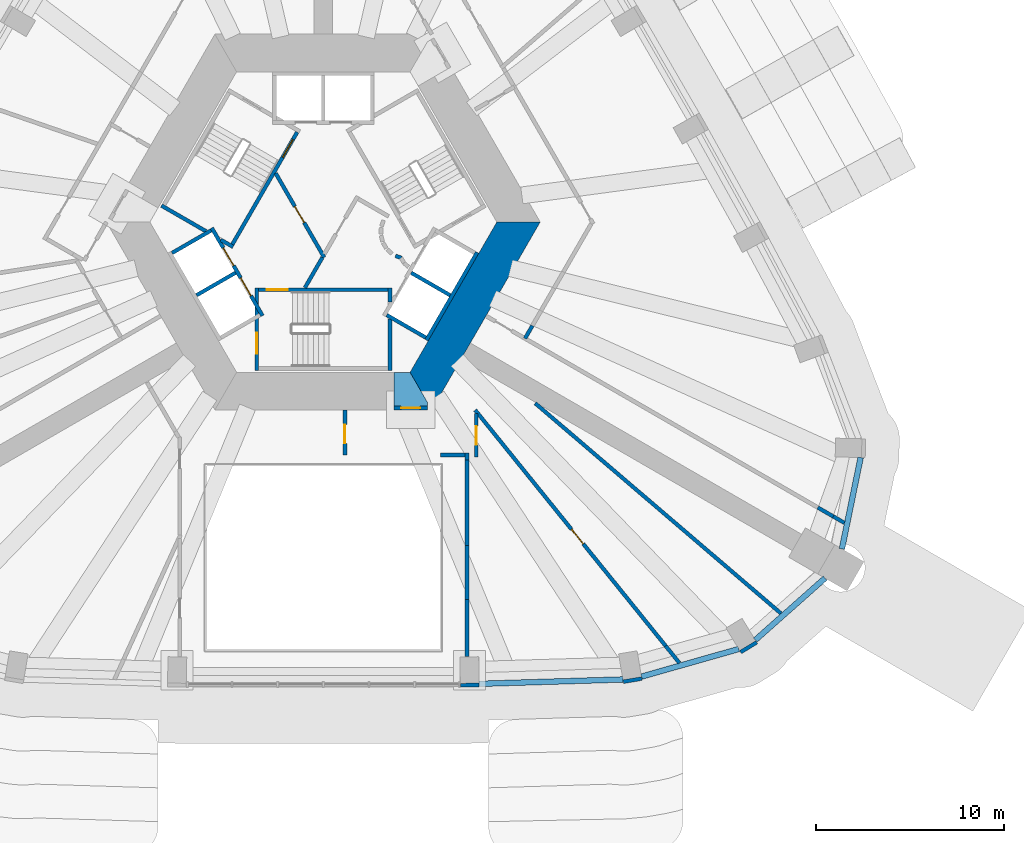
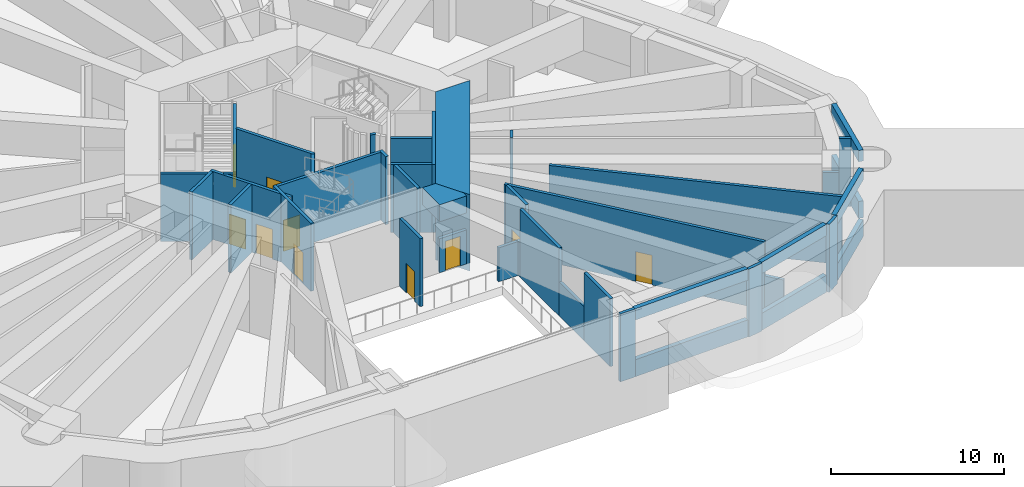
# One storey, part 5 of 16: 43 walls, 10 doors, 10 openings.
"""IFC4 building model written with IfcOpenShell, lengths in metres."""

from ifc_helpers import new_model, si_unit, direction, frame, frame_2d, origin, place, context, subcontext, project, spatial, polyline, rectangle, outline, extrude, material, layer, layer_set, type_object, element, fill, save


model = new_model("IFC4")

# Units and contexts
model_context = context("Model", 3, precision=1e-05, world=origin(), true_north=direction((0.0, 1.0)))
body_context = subcontext(model_context, "Body", "Model", "MODEL_VIEW")
ifc_project = project(units=[si_unit("LENGTHUNIT", "METRE"), si_unit("AREAUNIT", "SQUARE_METRE"), si_unit("VOLUMEUNIT", "CUBIC_METRE"), si_unit("PLANEANGLEUNIT", "RADIAN"), si_unit("MASSUNIT", "GRAM", prefix="KILO")], contexts=[model_context])

# Site, building, storey
site_placement = place(None, origin())
site = spatial("IfcSite", under=ifc_project, at=site_placement, CompositionType="ELEMENT")
building_placement = place(site_placement, origin())
building = spatial("IfcBuilding", under=site, at=building_placement, Name="Entoto Arch Interchange Tower", CompositionType="ELEMENT")
storey_placement = place(building_placement, frame((0.0, 0.0, 281.0)))
storey = spatial("IfcBuildingStorey", under=building, at=storey_placement, Name="L65", CompositionType="ELEMENT", Elevation=281.0)

# Wall, opening, door
ifc_material_1 = material(Name="Reinforced concrete C40/50", Category="concrete")
ifc_layer_1 = layer(ifc_material_1, 0.199951171875)
ifc_layer_set_1 = layer_set([ifc_layer_1], Name="Reinforced concrete C40/50")
wall_type_1 = type_object("IfcWallType", Name="CORE GAP INFILL WALL", PredefinedType="PARTITIONING", material=ifc_layer_set_1)
wall_1_placement = place(storey_placement, frame((3.75, -7.39990234375, 0.0), z_axis=(0.0, 0.0, 1.0), x_axis=(1.0, 0.0, 0.0)))
wall_1 = element("IfcWall", 1, at=wall_1_placement, inside=storey, type_object=wall_type_1, Name="wall:L65:gap1", PredefinedType="PARTITIONING", context=body_context, shape_type="SweptSolid", body=[
    extrude(rectangle(XDim=1.7939453125, YDim=0.199951171875, at=frame_2d((0.89697265625, 0.0))), origin(), (0.0, 0.0, 1.0), 2.39990234375),
])
opening_1_placement = place(wall_1_placement, frame((0.39697265625, 0.0, 0.0)))
opening_1 = element("IfcOpeningElement", 2, at=opening_1_placement, cuts=wall_1, Name="Opening L65-D91", PredefinedType="OPENING", context=body_context, shape_type="SweptSolid", body=[
    extrude(rectangle(XDim=1.0, YDim=2.10009765625, at=frame_2d((0.5, 1.050048828125))), frame((0.0, 0.10986328125, 0.0), z_axis=(0.0, -1.0, 0.0), x_axis=(1.0, 0.0, 0.0)), (0.0, 0.0, 1.0), 0.219970703125),
])
ifc_material_2 = material(Name="Fire-rated Steel S235 door and frame", Category="steel")
door_type_1 = type_object("IfcDoorType", Name="DOOR FD-10 1000x2100", OperationType="SINGLE_SWING_LEFT", PredefinedType="DOOR", material=ifc_material_2)
door_1_placement = place(opening_1_placement, origin())
door_1 = element("IfcDoor", 3, at=door_1_placement, inside=storey, type_object=door_type_1, Name="door:L65:gap1", OperationType="SINGLE_SWING_LEFT", OverallHeight=2.10009765625, OverallWidth=1.0, PredefinedType="DOOR", context=body_context, shape_type="SweptSolid", body=[
    extrude(rectangle(XDim=1.0, YDim=2.10009765625, at=frame_2d((0.5, 1.050048828125))), frame((0.0, 0.02490234375, 0.0), z_axis=(0.0, -1.0, 0.0), x_axis=(1.0, 0.0, 0.0)), (0.0, 0.0, 1.0), 0.050048828125),
])
fill(opening_1, door_1)

# Walls
ifc_material_3 = material(Name="Concrete C40/50", Category="concrete")
ifc_layer_2 = layer(ifc_material_3, 2.0)
ifc_layer_set_2 = layer_set([ifc_layer_2], Name="Concrete C40/50")
wall_type_2 = type_object("IfcWallType", Name="Core wall 2000 C40/50", PredefinedType="SHEAR", material=ifc_layer_set_2)
wall_2_placement = place(storey_placement, frame((0.0, 0.0, 3.60009765625)))
element("IfcWall", 4, at=wall_2_placement, inside=storey, type_object=wall_type_2, Name="Core wall lintel S L65", PredefinedType="SHEAR", context=body_context, shape_type="SweptSolid", body=[
    extrude(outline(polyline([(5.5439453125, -7.5), (5.5439453125, -7.10205078125), (4.618896484375, -5.5), (3.75, -5.5), (3.75, -7.5), (5.5439453125, -7.5)])), origin(), (0.0, 0.0, 1.0), 1.199951171875),
])
wall_3_placement = place(storey_placement, frame((0.0, 0.0, -0.60009765625)))
element("IfcWall", 5, at=wall_3_placement, inside=storey, type_object=wall_type_2, Name="Core wall SE L65", PredefinedType="SHEAR", context=body_context, shape_type="SweptSolid", body=[
    extrude(outline(polyline([(5.77392578125, -7.5), (11.547119140625, 2.5), (9.238037109375, 2.5), (4.618896484375, -5.5), (5.77392578125, -7.5)])), origin(), (0.0, 0.0, 1.0), 5.400146484375),
])

# Wall, openings, doors
ifc_layer_3 = layer(ifc_material_3, 0.199951171875)
ifc_layer_set_3 = layer_set([ifc_layer_3], Name="Concrete C40/50")
wall_type_3 = type_object("IfcWallType", Name="LIFT SHAFT WALL 200", PredefinedType="STANDARD", material=ifc_layer_set_3)
wall_4_placement = place(storey_placement, frame((-5.93994140625, 2.18798828125, 0.0), z_axis=(0.0, 0.0, 1.0), x_axis=(0.500034260056, -0.866005622828, 0.0)))
wall_4 = element("IfcWall", 6, at=wall_4_placement, inside=storey, type_object=wall_type_3, Name="Shaft wall SW1 front", PredefinedType="STANDARD", context=body_context, shape_type="SweptSolid", body=[
    extrude(rectangle(XDim=5.3994140625, YDim=0.199951171875, at=frame_2d((2.69970703125, 0.0))), origin(), (0.0, 0.0, 1.0), 4.800048828125),
])
opening_2_placement = place(wall_4_placement, frame((3.074951171875, 0.0, 0.0)))
opening_2 = element("IfcOpeningElement", 7, at=opening_2_placement, cuts=wall_4, Name="Opening LD-HR4-L65", PredefinedType="OPENING", context=body_context, shape_type="SweptSolid", body=[
    extrude(rectangle(XDim=1.10009765625, YDim=2.10009765625, at=frame_2d((0.550048828125, 1.050048828125))), frame((0.0, 0.10986328125, 0.0), z_axis=(0.0, -1.0, 0.0), x_axis=(1.0, 0.0, 0.0)), (0.0, 0.0, 1.0), 0.219970703125),
])
opening_3_placement = place(wall_4_placement, frame((1.22509765625, 0.0, 0.0)))
opening_3 = element("IfcOpeningElement", 8, at=opening_3_placement, cuts=wall_4, Name="Opening LD-FF2-L65", PredefinedType="OPENING", context=body_context, shape_type="SweptSolid", body=[
    extrude(rectangle(XDim=1.10009765625, YDim=2.10009765625, at=frame_2d((0.550048828125, 1.050048828125))), frame((0.0, 0.10986328125, 0.0), z_axis=(0.0, -1.0, 0.0), x_axis=(1.0, 0.0, 0.0)), (0.0, 0.0, 1.0), 0.219970703125),
])
ifc_material_4 = material(Name="Stainless steel 1.4301 panels", Category="steel")
door_type_2 = type_object("IfcDoorType", Name="LIFT LANDING DOOR LD1 1100x2100", OperationType="SLIDING_TO_LEFT", PredefinedType="DOOR", material=ifc_material_4)
door_2_placement = place(opening_2_placement, origin())
door_2 = element("IfcDoor", 9, at=door_2_placement, inside=storey, type_object=door_type_2, Name="Lift landing door HR4 L65", OperationType="SLIDING_TO_LEFT", OverallHeight=2.10009765625, OverallWidth=1.10009765625, PredefinedType="DOOR", context=body_context, shape_type="SweptSolid", body=[
    extrude(rectangle(XDim=1.10009765625, YDim=2.10009765625, at=frame_2d((0.550048828125, 1.050048828125))), frame((0.0, 0.02490234375, 0.0), z_axis=(0.0, -1.0, 0.0), x_axis=(1.0, 0.0, 0.0)), (0.0, 0.0, 1.0), 0.050048828125),
])
fill(opening_2, door_2)
door_3_placement = place(opening_3_placement, origin())
door_3 = element("IfcDoor", 10, at=door_3_placement, inside=storey, type_object=door_type_2, Name="Lift landing door FF2 L65", OperationType="SLIDING_TO_LEFT", OverallHeight=2.10009765625, OverallWidth=1.10009765625, PredefinedType="DOOR", context=body_context, shape_type="SweptSolid", body=[
    extrude(rectangle(XDim=1.10009765625, YDim=2.10009765625, at=frame_2d((0.550048828125, 1.050048828125))), frame((0.0, 0.02490234375, 0.0), z_axis=(0.0, -1.0, 0.0), x_axis=(1.0, 0.0, 0.0)), (0.0, 0.0, 1.0), 0.050048828125),
])
fill(opening_3, door_3)

# Walls
for number, where, z_axis, x_axis, name in (
    (11, (-5.97705078125, 2.052001953125, 0.0), (0.0, 0.0, 1.0), (-0.865973769406, -0.500089422704, 0.0), "Shaft wall SW1 cross 1"),
    (12, (-4.677001953125, -0.199951171875, 0.0), (0.0, 0.0, 1.0), (-0.865973769406, -0.500089422704, 0.0), "Shaft wall SW1 cross 2"),
):
    element("IfcWall", number, at=place(storey_placement, frame(where, z_axis=z_axis, x_axis=x_axis)), inside=storey, type_object=wall_type_3, Name=name, PredefinedType="STANDARD", context=body_context, shape_type="SweptSolid", body=[
        extrude(rectangle(XDim=2.3994140625, YDim=0.199951171875, at=frame_2d((1.19970703125, 0.0))), origin(), (0.0, 0.0, 1.0), 4.800048828125),
    ])
wall_5_placement = place(storey_placement, frame((5.491943359375, -3.7880859375, 0.0), z_axis=(0.0, 0.0, 1.0), x_axis=(0.500034260056, 0.866005622828, 0.0)))
element("IfcWall", 13, at=wall_5_placement, inside=storey, type_object=wall_type_3, Name="Shaft wall SE1 back", PredefinedType="STANDARD", context=body_context, shape_type="SweptSolid", body=[
    extrude(rectangle(XDim=5.3994140625, YDim=0.199951171875, at=frame_2d((2.69970703125, 0.0))), origin(), (0.0, 0.0, 1.0), 4.800048828125),
])
wall_6_placement = place(storey_placement, frame((3.376953125, -2.451904296875, 0.0), z_axis=(0.0, 0.0, 1.0), x_axis=(0.865955154139, -0.50012165622, 0.0)))
element("IfcWall", 14, at=wall_6_placement, inside=storey, type_object=wall_type_3, Name="Shaft wall SE1 cross 1", PredefinedType="STANDARD", context=body_context, shape_type="SweptSolid", body=[
    extrude(rectangle(XDim=2.39990234375, YDim=0.199951171875, at=frame_2d((1.199951171875, 0.0))), origin(), (0.0, 0.0, 1.0), 4.800048828125),
])
wall_7_placement = place(storey_placement, frame((4.677001953125, -0.199951171875, 0.0), z_axis=(0.0, 0.0, 1.0), x_axis=(0.865973769406, -0.500089422704, 0.0)))
element("IfcWall", 15, at=wall_7_placement, inside=storey, type_object=wall_type_3, Name="Shaft wall SE1 cross 2", PredefinedType="STANDARD", context=body_context, shape_type="SweptSolid", body=[
    extrude(rectangle(XDim=2.3994140625, YDim=0.199951171875, at=frame_2d((1.19970703125, 0.0))), origin(), (0.0, 0.0, 1.0), 4.800048828125),
])
ifc_material_5 = material(Name="Gypsum board partition on steel studs", Category="steel")
ifc_layer_4 = layer(ifc_material_5, 0.199951171875)
ifc_layer_set_4 = layer_set([ifc_layer_4], Name="Gypsum board partition on steel studs")
wall_type_4 = type_object("IfcWallType", Name="PARTITION 200", PredefinedType="PARTITIONING", material=ifc_layer_set_4)
wall_8_placement = place(storey_placement, frame((-0.98193359375, -1.0, 0.0), z_axis=(0.0, 0.0, 1.0), x_axis=(0.50024047865, 0.865886518847, 0.0)))
element("IfcWall", 16, at=wall_8_placement, inside=storey, type_object=wall_type_4, Name="wall:L65:p001", PredefinedType="PARTITIONING", context=body_context, shape_type="SweptSolid", body=[
    extrude(rectangle(XDim=1.86279296875, YDim=0.199951171875, at=frame_2d((0.931396484375, 0.0))), origin(), (0.0, 0.0, 1.0), 4.800048828125),
])
wall_9_placement = place(storey_placement, frame((3.837890625, 0.701904296875, 0.0), z_axis=(0.0, 0.0, 1.0), x_axis=(0.941035081519, -0.338308993895, 0.0)))
element("IfcWall", 17, at=wall_9_placement, inside=storey, type_object=wall_type_4, Name="wall:L65:p008", PredefinedType="PARTITIONING", context=body_context, shape_type="SweptSolid", body=[
    extrude(rectangle(XDim=0.3369140625, YDim=0.199951171875, at=frame_2d((0.16845703125, 0.0))), origin(), (0.0, 0.0, 1.0), 4.800048828125),
])

# Wall, opening, door
wall_10_placement = place(storey_placement, frame((-2.5400390625, 5.10009765625, 0.0), z_axis=(0.0, 0.0, 1.0), x_axis=(0.499925051871, -0.866068670783, 0.0)))
wall_10 = element("IfcWall", 18, at=wall_10_placement, inside=storey, type_object=wall_type_4, Name="wall:L65:p012", PredefinedType="PARTITIONING", context=body_context, shape_type="SweptSolid", body=[
    extrude(rectangle(XDim=5.180908203125, YDim=0.199951171875, at=frame_2d((2.59033203125, 0.0))), origin(), (0.0, 0.0, 1.0), 4.800048828125),
])
opening_4_placement = place(wall_10_placement, frame((2.0400390625, 0.0, 0.0)))
opening_4 = element("IfcOpeningElement", 19, at=opening_4_placement, cuts=wall_10, Name="Opening L65-D20", PredefinedType="OPENING", context=body_context, shape_type="SweptSolid", body=[
    extrude(rectangle(XDim=1.0, YDim=2.10009765625, at=frame_2d((0.5, 1.050048828125))), frame((0.0, 0.10986328125, 0.0), z_axis=(0.0, -1.0, 0.0), x_axis=(1.0, 0.0, 0.0)), (0.0, 0.0, 1.0), 0.219970703125),
])
door_4_placement = place(opening_4_placement, origin())
door_4 = element("IfcDoor", 20, at=door_4_placement, inside=storey, type_object=door_type_1, Name="door:L65:20", OperationType="SINGLE_SWING_RIGHT", OverallHeight=2.10009765625, OverallWidth=1.0, PredefinedType="DOOR", context=body_context, shape_type="SweptSolid", body=[
    extrude(rectangle(XDim=1.0, YDim=2.10009765625, at=frame_2d((0.5, 1.050048828125))), frame((0.0, 0.02490234375, 0.0), z_axis=(0.0, -1.0, 0.0), x_axis=(1.0, 0.0, 0.0)), (0.0, 0.0, 1.0), 0.050048828125),
])
fill(opening_4, door_4)

wall_11_placement = place(storey_placement, frame((1.14697265625, -9.89990234375, 0.0), z_axis=(0.0, 0.0, 1.0), x_axis=(0.0, 1.0, 0.0)))
wall_11 = element("IfcWall", 21, at=wall_11_placement, inside=storey, type_object=wall_type_4, Name="wall:L65:p013", PredefinedType="PARTITIONING", context=body_context, shape_type="SweptSolid", body=[
    extrude(rectangle(XDim=2.39990234375, YDim=0.199951171875, at=frame_2d((1.199951171875, 0.0))), origin(), (0.0, 0.0, 1.0), 4.800048828125),
])
opening_5_placement = place(wall_11_placement, frame((0.614990234375, 0.0, 0.0)))
opening_5 = element("IfcOpeningElement", 22, at=opening_5_placement, cuts=wall_11, Name="Opening L65-D01", PredefinedType="OPENING", context=body_context, shape_type="SweptSolid", body=[
    extrude(rectangle(XDim=1.0, YDim=2.10009765625, at=frame_2d((0.5, 1.050048828125))), frame((0.0, 0.10986328125, 0.0), z_axis=(0.0, -1.0, 0.0), x_axis=(1.0, 0.0, 0.0)), (0.0, 0.0, 1.0), 0.219970703125),
])
door_5_placement = place(opening_5_placement, origin())
door_5 = element("IfcDoor", 23, at=door_5_placement, inside=storey, type_object=door_type_1, Name="door:L65:01", OperationType="SINGLE_SWING_RIGHT", OverallHeight=2.10009765625, OverallWidth=1.0, PredefinedType="DOOR", context=body_context, shape_type="SweptSolid", body=[
    extrude(rectangle(XDim=1.0, YDim=2.10009765625, at=frame_2d((0.5, 1.050048828125))), frame((0.0, 0.02490234375, 0.0), z_axis=(0.0, -1.0, 0.0), x_axis=(1.0, 0.0, 0.0)), (0.0, 0.0, 1.0), 0.050048828125),
])
fill(opening_5, door_5)

# Wall
wall_12_placement = place(storey_placement, frame((6.2509765625, -9.90087890625, 0.0), z_axis=(0.0, 0.0, 1.0), x_axis=(1.0, 0.0, 0.0)))
element("IfcWall", 24, at=wall_12_placement, inside=storey, type_object=wall_type_4, Name="wall:L65:p014", PredefinedType="PARTITIONING", context=body_context, shape_type="SweptSolid", body=[
    extrude(rectangle(XDim=1.299072265625, YDim=0.199951171875, at=frame_2d((0.6494140625, 0.0))), origin(), (0.0, 0.0, 1.0), 2.39990234375),
])

# Wall, opening, door
wall_13_placement = place(storey_placement, frame((8.14697265625, -7.68798828125, 0.0), z_axis=(0.0, 0.0, 1.0), x_axis=(0.0, -1.0, 0.0)))
wall_13 = element("IfcWall", 25, at=wall_13_placement, inside=storey, type_object=wall_type_4, Name="wall:L65:p015", PredefinedType="PARTITIONING", context=body_context, shape_type="SweptSolid", body=[
    extrude(rectangle(XDim=2.31201171875, YDim=0.199951171875, at=frame_2d((1.156005859375, 0.0))), origin(), (0.0, 0.0, 1.0), 4.800048828125),
])
opening_6_placement = place(wall_13_placement, frame((0.678955078125, 0.0, 0.0)))
opening_6 = element("IfcOpeningElement", 26, at=opening_6_placement, cuts=wall_13, Name="Opening L65-D02", PredefinedType="OPENING", context=body_context, shape_type="SweptSolid", body=[
    extrude(rectangle(XDim=1.0, YDim=2.10009765625, at=frame_2d((0.5, 1.050048828125))), frame((0.0, 0.10986328125, 0.0), z_axis=(0.0, -1.0, 0.0), x_axis=(1.0, 0.0, 0.0)), (0.0, 0.0, 1.0), 0.219970703125),
])
door_6_placement = place(opening_6_placement, origin())
door_6 = element("IfcDoor", 27, at=door_6_placement, inside=storey, type_object=door_type_1, Name="door:L65:02", OperationType="SINGLE_SWING_LEFT", OverallHeight=2.10009765625, OverallWidth=1.0, PredefinedType="DOOR", context=body_context, shape_type="SweptSolid", body=[
    extrude(rectangle(XDim=1.0, YDim=2.10009765625, at=frame_2d((0.5, 1.050048828125))), frame((0.0, 0.02490234375, 0.0), z_axis=(0.0, -1.0, 0.0), x_axis=(1.0, 0.0, 0.0)), (0.0, 0.0, 1.0), 0.050048828125),
])
fill(opening_6, door_6)

# Wall
wall_14_placement = place(storey_placement, frame((7.64990234375, -9.801025390625, 0.0), z_axis=(0.0, 0.0, 1.0), x_axis=(0.0, -1.0, 0.0)))
element("IfcWall", 28, at=wall_14_placement, inside=storey, type_object=wall_type_4, Name="wall:L65:p016", PredefinedType="PARTITIONING", context=body_context, shape_type="SweptSolid", body=[
    extrude(rectangle(XDim=0.376953125, YDim=0.199951171875, at=frame_2d((0.1884765625, 0.0))), origin(), (0.0, 0.0, 1.0), 2.39990234375),
])

# Wall, opening, door
wall_15_placement = place(storey_placement, frame((8.083984375, -7.510009765625, 0.0), z_axis=(0.0, 0.0, 1.0), x_axis=(0.628300137945, -0.777971038445, 0.0)))
wall_15 = element("IfcWall", 29, at=wall_15_placement, inside=storey, type_object=wall_type_4, Name="wall:L65:p020", PredefinedType="PARTITIONING", context=body_context, shape_type="SweptSolid", body=[
    extrude(rectangle(XDim=16.140625, YDim=0.199951171875, at=frame_2d((8.0703125, 0.0))), origin(), (0.0, 0.0, 1.0), 4.800048828125),
])
opening_7_placement = place(wall_15_placement, frame((8.1630859375, 0.0, 0.0)))
opening_7 = element("IfcOpeningElement", 30, at=opening_7_placement, cuts=wall_15, Name="Opening L65-D05", PredefinedType="OPENING", context=body_context, shape_type="SweptSolid", body=[
    extrude(rectangle(XDim=1.0, YDim=2.10009765625, at=frame_2d((0.5, 1.050048828125))), frame((0.0, 0.10986328125, 0.0), z_axis=(0.0, -1.0, 0.0), x_axis=(1.0, 0.0, 0.0)), (0.0, 0.0, 1.0), 0.219970703125),
])
ifc_material_6 = material(Name="Timber door leaf in Steel S235 frame", Category="steel")
door_type_3 = type_object("IfcDoorType", Name="DOOR DS-10 1000x2100", OperationType="SINGLE_SWING_LEFT", PredefinedType="DOOR", material=ifc_material_6)
door_7_placement = place(opening_7_placement, origin())
door_7 = element("IfcDoor", 31, at=door_7_placement, inside=storey, type_object=door_type_3, Name="door:L65:05", OperationType="SINGLE_SWING_RIGHT", OverallHeight=2.10009765625, OverallWidth=1.0, PredefinedType="DOOR", context=body_context, shape_type="SweptSolid", body=[
    extrude(rectangle(XDim=1.0, YDim=2.10009765625, at=frame_2d((0.5, 1.050048828125))), frame((0.0, 0.02490234375, 0.0), z_axis=(0.0, -1.0, 0.0), x_axis=(1.0, 0.0, 0.0)), (0.0, 0.0, 1.0), 0.050048828125),
])
fill(opening_7, door_7)

# Walls
wall_16_placement = place(storey_placement, frame((11.281982421875, -7.14892578125, 0.0), z_axis=(0.0, 0.0, 1.0), x_axis=(0.759981627741, -0.64994455571, 0.0)))
element("IfcWall", 32, at=wall_16_placement, inside=storey, type_object=wall_type_4, Name="wall:L65:p024", PredefinedType="PARTITIONING", context=body_context, shape_type="SweptSolid", body=[
    extrude(rectangle(XDim=17.2216796875, YDim=0.199951171875, at=frame_2d((8.61083984375, 0.0))), origin(), (0.0, 0.0, 1.0), 4.800048828125),
])
wall_17_placement = place(storey_placement, frame((7.64990234375, -10.177978515625, 0.0), z_axis=(0.0, 0.0, 1.0), x_axis=(0.0, -1.0, 0.0)))
element("IfcWall", 33, at=wall_17_placement, inside=storey, type_object=wall_type_4, Name="wall:L65:p016", PredefinedType="PARTITIONING", context=body_context, shape_type="SweptSolid", body=[
    extrude(rectangle(XDim=4.551025390625, YDim=0.199951171875, at=frame_2d((2.275390625, 0.0))), origin(), (0.0, 0.0, 1.0), 4.800048828125),
])
wall_18_placement = place(storey_placement, frame((7.64990234375, -14.72900390625, 0.0), z_axis=(0.0, 0.0, 1.0), x_axis=(0.0, -1.0, 0.0)))
element("IfcWall", 34, at=wall_18_placement, inside=storey, type_object=wall_type_4, Name="wall:L65:p016", PredefinedType="PARTITIONING", context=body_context, shape_type="SweptSolid", body=[
    extrude(rectangle(XDim=2.861083984375, YDim=0.199951171875, at=frame_2d((1.4306640625, 0.0))), origin(), (0.0, 0.0, 1.0), 2.39990234375),
])
wall_19_placement = place(storey_placement, frame((7.64990234375, -17.590087890625, 0.0), z_axis=(0.0, 0.0, 1.0), x_axis=(0.0, -1.0, 0.0)))
element("IfcWall", 35, at=wall_19_placement, inside=storey, type_object=wall_type_4, Name="wall:L65:p016", PredefinedType="PARTITIONING", context=body_context, shape_type="SweptSolid", body=[
    extrude(rectangle(XDim=3.0458984375, YDim=0.199951171875, at=frame_2d((1.52294921875, 0.0))), origin(), (0.0, 0.0, 1.0), 4.800048828125),
])
wall_20_placement = place(storey_placement, frame((18.22509765625, -20.06689453125, 0.0), z_axis=(0.0, 0.0, 1.0), x_axis=(0.628103623496, -0.778129705223, 0.0)))
element("IfcWall", 36, at=wall_20_placement, inside=storey, type_object=wall_type_4, Name="wall:L65:p020", PredefinedType="PARTITIONING", context=body_context, shape_type="SweptSolid", body=[
    extrude(rectangle(XDim=1.16845703125, YDim=0.199951171875, at=frame_2d((0.584228515625, 0.0))), origin(), (0.0, 0.0, 1.0), 2.39990234375),
])
wall_21_placement = place(storey_placement, frame((26.3310546875, -12.701904296875, 0.0), z_axis=(0.0, 0.0, 1.0), x_axis=(0.865607892982, -0.500722453668, 0.0)))
element("IfcWall", 37, at=wall_21_placement, inside=storey, type_object=wall_type_4, Name="wall:L65:p026", PredefinedType="PARTITIONING", context=body_context, shape_type="SweptSolid", body=[
    extrude(rectangle(XDim=0.95068359375, YDim=0.199951171875, at=frame_2d((0.475341796875, 0.0))), origin(), (0.0, 0.0, 1.0), 2.39990234375),
])
wall_22_placement = place(storey_placement, frame((27.154052734375, -13.177978515625, 0.0), z_axis=(0.0, 0.0, 1.0), x_axis=(0.866316887664, -0.499494794916, 0.0)))
element("IfcWall", 38, at=wall_22_placement, inside=storey, type_object=wall_type_4, Name="wall:L65:p026", PredefinedType="PARTITIONING", context=body_context, shape_type="SweptSolid", body=[
    extrude(rectangle(XDim=0.680908203125, YDim=0.199951171875, at=frame_2d((0.34033203125, 0.0))), origin(), (0.0, 0.0, 1.0), 4.800048828125),
])
wall_23_placement = place(storey_placement, frame((11.131103515625, -3.02099609375, 0.0), z_axis=(0.0, 0.0, 1.0), x_axis=(-0.500090821976, -0.865972961342, 0.0)))
element("IfcWall", 39, at=wall_23_placement, inside=storey, type_object=wall_type_4, Name="wall:L65:p033", PredefinedType="PARTITIONING", context=body_context, shape_type="SweptSolid", body=[
    extrude(rectangle(XDim=0.783935546875, YDim=0.199951171875, at=frame_2d((0.39208984375, 0.0))), origin(), (0.0, 0.0, 1.0), 4.800048828125),
])
ifc_material_7 = material(Name="Board-marked precast concrete C50/60", Category="concrete")
ifc_layer_5 = layer(ifc_material_7, 0.199951171875)
ifc_layer_set_5 = layer_set([ifc_layer_5], Name="Board-marked precast concrete C50/60")
wall_type_5 = type_object("IfcWallType", Name="PRECAST FRAME WALL 200", PredefinedType="STANDARD", material=ifc_layer_set_5)
for number, where, z_axis, x_axis, name in (
    (40, (7.298095703125, -22.1630859375, 0.0), (0.0, 0.0, 1.0), (0.999836842422, 0.018063458579, 0.0), "Frame pier S03 L65"),
    (41, (15.969970703125, -21.97607421875, 0.0), (0.0, 0.0, 1.0), (0.985961725342, 0.166971483074, 0.0), "Frame pier S04 L65"),
):
    element("IfcWall", number, at=place(storey_placement, frame(where, z_axis=z_axis, x_axis=x_axis)), inside=storey, type_object=wall_type_5, Name=name, PredefinedType="STANDARD", context=body_context, shape_type="SweptSolid", body=[
        extrude(rectangle(XDim=1.000244140625, YDim=0.199951171875, at=frame_2d((0.5, 0.0))), origin(), (0.0, 0.0, 1.0), 4.800048828125),
    ])
wall_24_placement = place(storey_placement, frame((22.220947265625, -20.39990234375, 0.0), z_axis=(0.0, 0.0, 1.0), x_axis=(0.853679739553, 0.520798331677, 0.0)))
element("IfcWall", 42, at=wall_24_placement, inside=storey, type_object=wall_type_5, Name="Frame pier SE1 L65", PredefinedType="STANDARD", context=body_context, shape_type="SweptSolid", body=[
    extrude(rectangle(XDim=1.00048828125, YDim=0.199951171875, at=frame_2d((0.500244140625, 0.0))), origin(), (0.0, 0.0, 1.0), 4.800048828125),
])
ifc_layer_6 = layer(ifc_material_7, 0.300048828125)
ifc_layer_set_6 = layer_set([ifc_layer_6], Name="Board-marked precast concrete C50/60")
wall_type_6 = type_object("IfcWallType", Name="PRECAST FRAME WALL 300", PredefinedType="STANDARD", material=ifc_layer_set_6)
wall_25_placement = place(storey_placement, frame((8.2958984375, -22.089111328125, 0.0), z_axis=(0.0, 0.0, 1.0), x_axis=(0.999540359891, 0.030316149968, 0.0)))
element("IfcWall", 43, at=wall_25_placement, inside=storey, type_object=wall_type_6, Name="Frame sill wall S-03 L65", PredefinedType="STANDARD", context=body_context, shape_type="SweptSolid", body=[
    extrude(rectangle(XDim=7.658447265625, YDim=0.300048828125, at=frame_2d((3.8291015625, 0.0))), origin(), (0.0, 0.0, 1.0), 1.199951171875),
])
wall_26_placement = place(storey_placement, frame((8.2958984375, -22.089111328125, 4.0), z_axis=(0.0, 0.0, 1.0), x_axis=(0.999540359891, 0.030316149968, 0.0)))
element("IfcWall", 44, at=wall_26_placement, inside=storey, type_object=wall_type_6, Name="Frame head wall S-03 L65", PredefinedType="STANDARD", context=body_context, shape_type="SweptSolid", body=[
    extrude(rectangle(XDim=7.658447265625, YDim=0.300048828125, at=frame_2d((3.8291015625, 0.0))), origin(), (0.0, 0.0, 1.0), 0.800048828125),
])
wall_27_placement = place(storey_placement, frame((16.93798828125, -21.705078125, 0.0), z_axis=(0.0, 0.0, 1.0), x_axis=(0.961984350903, 0.27310457451, 0.0)))
element("IfcWall", 45, at=wall_27_placement, inside=storey, type_object=wall_type_6, Name="Frame sill wall SE-01 L65", PredefinedType="STANDARD", context=body_context, shape_type="SweptSolid", body=[
    extrude(rectangle(XDim=5.386962890625, YDim=0.300048828125, at=frame_2d((2.693359375, 0.0))), origin(), (0.0, 0.0, 1.0), 1.199951171875),
])
wall_28_placement = place(storey_placement, frame((16.93798828125, -21.705078125, 4.0), z_axis=(0.0, 0.0, 1.0), x_axis=(0.961984350903, 0.27310457451, 0.0)))
element("IfcWall", 46, at=wall_28_placement, inside=storey, type_object=wall_type_6, Name="Frame head wall SE-01 L65", PredefinedType="STANDARD", context=body_context, shape_type="SweptSolid", body=[
    extrude(rectangle(XDim=5.386962890625, YDim=0.300048828125, at=frame_2d((2.693359375, 0.0))), origin(), (0.0, 0.0, 1.0), 0.800048828125),
])
wall_29_placement = place(storey_placement, frame((23.0, -19.758056640625, 0.0), z_axis=(0.0, 0.0, 1.0), x_axis=(0.747938022937, 0.663768569492, 0.0)))
element("IfcWall", 47, at=wall_29_placement, inside=storey, type_object=wall_type_6, Name="Frame sill wall SE-02 L65", PredefinedType="STANDARD", context=body_context, shape_type="SweptSolid", body=[
    extrude(rectangle(XDim=4.9658203125, YDim=0.300048828125, at=frame_2d((2.48291015625, 0.0))), origin(), (0.0, 0.0, 1.0), 1.199951171875),
])
wall_30_placement = place(storey_placement, frame((23.0, -19.758056640625, 4.0), z_axis=(0.0, 0.0, 1.0), x_axis=(0.747938022937, 0.663768569492, 0.0)))
element("IfcWall", 48, at=wall_30_placement, inside=storey, type_object=wall_type_6, Name="Frame head wall SE-02 L65", PredefinedType="STANDARD", context=body_context, shape_type="SweptSolid", body=[
    extrude(rectangle(XDim=4.9658203125, YDim=0.300048828125, at=frame_2d((2.48291015625, 0.0))), origin(), (0.0, 0.0, 1.0), 0.800048828125),
])
wall_31_placement = place(storey_placement, frame((27.613037109375, -14.905029296875, 0.0), z_axis=(0.0, 0.0, 1.0), x_axis=(0.200924793816, 0.979606669654, 0.0)))
element("IfcWall", 49, at=wall_31_placement, inside=storey, type_object=wall_type_6, Name="Frame sill wall SE-03 L65", PredefinedType="STANDARD", context=body_context, shape_type="SweptSolid", body=[
    extrude(rectangle(XDim=4.96728515625, YDim=0.300048828125, at=frame_2d((2.483642578125, 0.0))), origin(), (0.0, 0.0, 1.0), 1.199951171875),
])
wall_32_placement = place(storey_placement, frame((27.613037109375, -14.905029296875, 4.0), z_axis=(0.0, 0.0, 1.0), x_axis=(0.200924793816, 0.979606669654, 0.0)))
element("IfcWall", 50, at=wall_32_placement, inside=storey, type_object=wall_type_6, Name="Frame head wall SE-03 L65", PredefinedType="STANDARD", context=body_context, shape_type="SweptSolid", body=[
    extrude(rectangle(XDim=4.96728515625, YDim=0.300048828125, at=frame_2d((2.483642578125, 0.0))), origin(), (0.0, 0.0, 1.0), 0.800048828125),
])

# Wall, opening, door
ifc_layer_7 = layer(ifc_material_3, 0.199951171875)
ifc_layer_set_7 = layer_set([ifc_layer_7], Name="Concrete C40/50")
wall_type_7 = type_object("IfcWallType", Name="STAIR ENCLOSURE WALL 200", PredefinedType="STANDARD", material=ifc_layer_set_7)
wall_33_placement = place(storey_placement, frame((-3.550048828125, -1.0, 0.0), z_axis=(0.0, 0.0, 1.0), x_axis=(0.0, -1.0, 0.0)))
wall_33 = element("IfcWall", 51, at=wall_33_placement, inside=storey, type_object=wall_type_7, Name="Stair wall ST-S near", PredefinedType="STANDARD", context=body_context, shape_type="SweptSolid", body=[
    extrude(rectangle(XDim=4.39990234375, YDim=0.199951171875, at=frame_2d((2.199951171875, 0.0))), origin(), (0.0, 0.0, 1.0), 4.800048828125),
])
opening_8_placement = place(wall_33_placement, frame((2.39990234375, 0.0, 0.0)))
opening_8 = element("IfcOpeningElement", 52, at=opening_8_placement, cuts=wall_33, Name="Opening SD-ST-S-L65-E", PredefinedType="OPENING", context=body_context, shape_type="SweptSolid", body=[
    extrude(rectangle(XDim=1.10009765625, YDim=2.199951171875, at=frame_2d((0.550048828125, 1.10009765625))), frame((0.0, 0.10986328125, 0.0), z_axis=(0.0, -1.0, 0.0), x_axis=(1.0, 0.0, 0.0)), (0.0, 0.0, 1.0), 0.219970703125),
])
ifc_material_8 = material(Name="Steel S235", Category="steel")
door_type_4 = type_object("IfcDoorType", Name="STAIR DOOR SD1 1100x2200", OperationType="SINGLE_SWING_LEFT", PredefinedType="DOOR", material=ifc_material_8)
door_8_placement = place(opening_8_placement, origin())
door_8 = element("IfcDoor", 53, at=door_8_placement, inside=storey, type_object=door_type_4, Name="Stair door ST-S L65 end", OperationType="SINGLE_SWING_LEFT", OverallHeight=2.199951171875, OverallWidth=1.10009765625, PredefinedType="DOOR", context=body_context, shape_type="SweptSolid", body=[
    extrude(rectangle(XDim=1.10009765625, YDim=2.199951171875, at=frame_2d((0.550048828125, 1.10009765625))), frame((0.0, 0.02490234375, 0.0), z_axis=(0.0, -1.0, 0.0), x_axis=(1.0, 0.0, 0.0)), (0.0, 0.0, 1.0), 0.050048828125),
])
fill(opening_8, door_8)

# Walls
wall_34_placement = place(storey_placement, frame((3.550048828125, -2.6669921875, 0.0), z_axis=(0.0, 0.0, 1.0), x_axis=(0.0, -1.0, 0.0)))
element("IfcWall", 54, at=wall_34_placement, inside=storey, type_object=wall_type_7, Name="Stair wall ST-S far", PredefinedType="STANDARD", context=body_context, shape_type="SweptSolid", body=[
    extrude(rectangle(XDim=2.73291015625, YDim=0.199951171875, at=frame_2d((1.366455078125, 0.0))), origin(), (0.0, 0.0, 1.0), 4.800048828125),
])
wall_35_placement = place(storey_placement, frame((3.550048828125, -1.0, 0.0), z_axis=(0.0, 0.0, 1.0), x_axis=(0.0, -1.0, 0.0)))
element("IfcWall", 55, at=wall_35_placement, inside=storey, type_object=wall_type_7, Name="Stair wall ST-S far return", PredefinedType="STANDARD", context=body_context, shape_type="SweptSolid", body=[
    extrude(rectangle(XDim=0.7509765625, YDim=0.199951171875, at=frame_2d((0.37548828125, 0.0))), origin(), (0.0, 0.0, 1.0), 4.800048828125),
])

# Wall, opening, door
wall_36_placement = place(storey_placement, frame((-3.449951171875, -1.10009765625, 0.0), z_axis=(0.0, 0.0, 1.0), x_axis=(1.0, 0.0, 0.0)))
wall_36 = element("IfcWall", 56, at=wall_36_placement, inside=storey, type_object=wall_type_7, Name="Stair wall ST-S hall", PredefinedType="STANDARD", context=body_context, shape_type="SweptSolid", body=[
    extrude(rectangle(XDim=6.89990234375, YDim=0.199951171875, at=frame_2d((3.449951171875, 0.0))), origin(), (0.0, 0.0, 1.0), 4.800048828125),
])
opening_9_placement = place(wall_36_placement, frame((0.449951171875, 0.0, 0.0)))
opening_9 = element("IfcOpeningElement", 57, at=opening_9_placement, cuts=wall_36, Name="Opening SD-ST-S-L65", PredefinedType="OPENING", context=body_context, shape_type="SweptSolid", body=[
    extrude(rectangle(XDim=1.10009765625, YDim=2.199951171875, at=frame_2d((0.550048828125, 1.10009765625))), frame((0.0, 0.10986328125, 0.0), z_axis=(0.0, -1.0, 0.0), x_axis=(1.0, 0.0, 0.0)), (0.0, 0.0, 1.0), 0.219970703125),
])
door_9_placement = place(opening_9_placement, origin())
door_9 = element("IfcDoor", 58, at=door_9_placement, inside=storey, type_object=door_type_4, Name="Stair door ST-S L65", OperationType="SINGLE_SWING_LEFT", OverallHeight=2.199951171875, OverallWidth=1.10009765625, PredefinedType="DOOR", context=body_context, shape_type="SweptSolid", body=[
    extrude(rectangle(XDim=1.10009765625, YDim=2.199951171875, at=frame_2d((0.550048828125, 1.10009765625))), frame((0.0, 0.02490234375, 0.0), z_axis=(0.0, -1.0, 0.0), x_axis=(1.0, 0.0, 0.0)), (0.0, 0.0, 1.0), 0.050048828125),
])
fill(opening_9, door_9)

# Walls
wall_37_placement = place(storey_placement, frame((-6.25, 2.010009765625, 0.0), z_axis=(0.0, 0.0, 1.0), x_axis=(-0.86611865017, 0.499838457731, 0.0)))
element("IfcWall", 59, at=wall_37_placement, inside=storey, type_object=wall_type_7, Name="Stair wall ST-NW far", PredefinedType="STANDARD", context=body_context, shape_type="SweptSolid", body=[
    extrude(rectangle(XDim=2.73291015625, YDim=0.199951171875, at=frame_2d((1.366455078125, 0.0))), origin(), (0.0, 0.0, 1.0), 4.800048828125),
])
wall_38_placement = place(storey_placement, frame((-4.805908203125, 1.176025390625, 0.0), z_axis=(0.0, 0.0, 1.0), x_axis=(-0.866558586415, 0.499075361355, 0.0)))
element("IfcWall", 60, at=wall_38_placement, inside=storey, type_object=wall_type_7, Name="Stair wall ST-NW far return", PredefinedType="STANDARD", context=body_context, shape_type="SweptSolid", body=[
    extrude(rectangle(XDim=0.75146484375, YDim=0.199951171875, at=frame_2d((0.375732421875, 0.0))), origin(), (0.0, 0.0, 1.0), 4.800048828125),
])

# Wall, opening, door
wall_39_placement = place(storey_placement, frame((-1.39306640625, 7.2880859375, 0.0), z_axis=(0.0, 0.0, 1.0), x_axis=(-0.499963383562, -0.866046543262, 0.0)))
wall_39 = element("IfcWall", 61, at=wall_39_placement, inside=storey, type_object=wall_type_7, Name="Stair wall ST-NW hall", PredefinedType="STANDARD", context=body_context, shape_type="SweptSolid", body=[
    extrude(rectangle(XDim=6.900390625, YDim=0.199951171875, at=frame_2d((3.4501953125, 0.0))), origin(), (0.0, 0.0, 1.0), 4.800048828125),
])
opening_10_placement = place(wall_39_placement, frame((0.449951171875, 0.0, 0.0)))
opening_10 = element("IfcOpeningElement", 62, at=opening_10_placement, cuts=wall_39, Name="Opening SD-ST-NW-L65", PredefinedType="OPENING", context=body_context, shape_type="SweptSolid", body=[
    extrude(rectangle(XDim=1.10009765625, YDim=2.199951171875, at=frame_2d((0.550048828125, 1.10009765625))), frame((0.0, 0.10986328125, 0.0), z_axis=(0.0, -1.0, 0.0), x_axis=(1.0, 0.0, 0.0)), (0.0, 0.0, 1.0), 0.219970703125),
])
door_10_placement = place(opening_10_placement, origin())
door_10 = element("IfcDoor", 63, at=door_10_placement, inside=storey, type_object=door_type_4, Name="Stair door ST-NW L65", OperationType="SINGLE_SWING_LEFT", OverallHeight=2.199951171875, OverallWidth=1.10009765625, PredefinedType="DOOR", context=body_context, shape_type="SweptSolid", body=[
    extrude(rectangle(XDim=1.10009765625, YDim=2.199951171875, at=frame_2d((0.550048828125, 1.10009765625))), frame((0.0, 0.02490234375, 0.0), z_axis=(0.0, -1.0, 0.0), x_axis=(1.0, 0.0, 0.0)), (0.0, 0.0, 1.0), 0.050048828125),
])
fill(opening_10, door_10)

save(model, "model.ifc")
